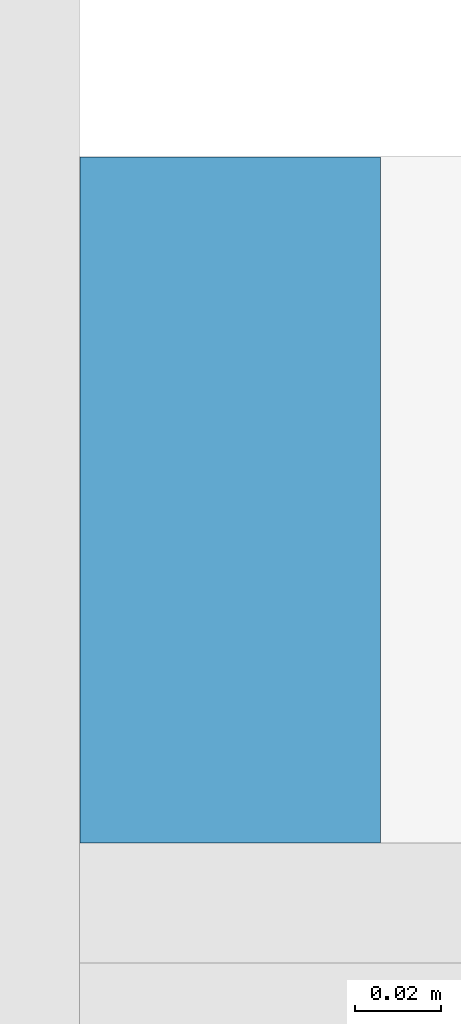
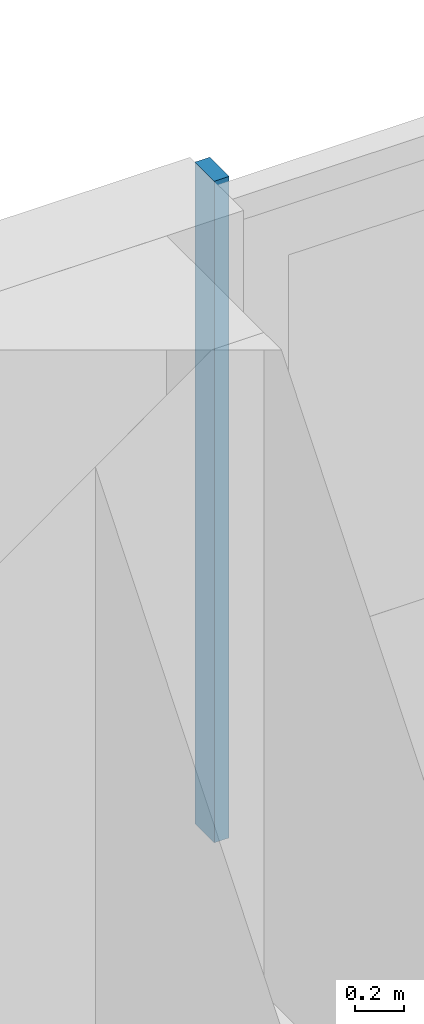
# One storey, part 10 of 28: 1 member, 1 element without a shape of its own.
"""IFC4 building model written with IfcOpenShell, lengths in metres."""

import ifcopenshell
import ifcopenshell.guid

model = None  # the IFC model being written
_history = None  # IfcOwnerHistory: only IFC2X3 demands one
_inside = {}  # id of a spatial element -> (the spatial element, [elements in it])
_under = {}  # id of a project, library or spatial element -> (it, [spatial elements below it])
_declared = {}  # id of a project -> (the project, [libraries it declares])
_typed = {}  # id of a type object -> (the type object, [elements of that type])
_made_of = {}  # id of a material, layer set ... -> (it, [elements and type objects made of it])


def new_model(schema):
    """Start an empty IFC model of exactly this schema.

    Asked for "IFC4X3", IfcOpenShell would pick the latest addendum, in which some entities
    have other attributes; the version numbers below select the first issue.
    IFC2X3 requires an IfcOwnerHistory on every rooted entity: one is made here for all.
    """
    global model, _history
    if schema == "IFC4X3":
        model = ifcopenshell.file(schema_version=(4, 3, 0, 0))
    else:
        model = ifcopenshell.file(schema=schema)
    _inside.clear()
    _under.clear()
    _declared.clear()
    _typed.clear()
    _made_of.clear()
    _history = None
    if model.schema == "IFC2X3":
        org = make("IfcOrganization", Name="unknown")
        user = make(
            "IfcPersonAndOrganization",
            ThePerson=make("IfcPerson", FamilyName="unknown"),
            TheOrganization=org,
        )
        app = make(
            "IfcApplication",
            ApplicationDeveloper=org,
            Version="unknown",
            ApplicationFullName="unknown",
            ApplicationIdentifier="unknown",
        )
        _history = make(
            "IfcOwnerHistory",
            OwningUser=user,
            OwningApplication=app,
            ChangeAction="ADDED",
            CreationDate=0,
        )
    return model


def make(cls, **values):
    """One entity of the class cls with the attributes given. An attribute that is None is left unset."""
    return model.create_entity(
        cls, **{name: value for name, value in values.items() if value is not None}
    )


def rooted(cls, **values):
    """An entity with a GlobalId (a new one), such as an element, a storey or a relation."""
    return make(cls, GlobalId=ifcopenshell.guid.new(), OwnerHistory=_history, **values)


def si_unit(unit_type, name, prefix=None):
    """IfcSIUnit, for example si_unit("LENGTHUNIT", "METRE", prefix="MILLI")."""
    return make("IfcSIUnit", UnitType=unit_type, Prefix=prefix, Name=name)


def assignment(units):
    """IfcUnitAssignment: the units of a project."""
    return None if units is None else make("IfcUnitAssignment", Units=units)


def point(xyz):
    """IfcCartesianPoint."""
    return None if xyz is None else make("IfcCartesianPoint", Coordinates=xyz)


def direction(xyz):
    """IfcDirection."""
    return None if xyz is None else make("IfcDirection", DirectionRatios=xyz)


def frame(location, z_axis=None, x_axis=None):
    """IfcAxis2Placement3D, a coordinate frame: its origin and axes. An axis left out is left unset."""
    return make(
        "IfcAxis2Placement3D",
        Location=point(location),
        Axis=direction(z_axis),
        RefDirection=direction(x_axis),
    )


def frame_2d(location, x_axis=None):
    """IfcAxis2Placement2D, a coordinate frame in the plane: its origin and x axis."""
    return make(
        "IfcAxis2Placement2D", Location=point(location), RefDirection=direction(x_axis)
    )


def origin():
    """The frame at (0, 0, 0) with its axes left unset."""
    return frame((0.0, 0.0, 0.0))


def origin_2d():
    """The frame at (0, 0) in the plane with its x axis left unset."""
    return frame_2d((0.0, 0.0))


def place(relative_to, where):
    """IfcLocalPlacement: puts the frame where relative to a parent placement (None: the world)."""
    return make(
        "IfcLocalPlacement", PlacementRelTo=relative_to, RelativePlacement=where
    )


def context(
    kind, dimensions, precision=None, world=None, true_north=None, identifier=None
):
    """IfcGeometricRepresentationContext, for example the 3D "Model" context."""
    return make(
        "IfcGeometricRepresentationContext",
        ContextIdentifier=identifier,
        ContextType=kind,
        CoordinateSpaceDimension=dimensions,
        Precision=precision,
        WorldCoordinateSystem=world,
        TrueNorth=true_north,
    )


def subcontext(parent, identifier, kind, view, scale=None):
    """IfcGeometricRepresentationSubContext, for example "Body" below "Model"."""
    return make(
        "IfcGeometricRepresentationSubContext",
        ContextIdentifier=identifier,
        ContextType=kind,
        ParentContext=parent,
        TargetScale=scale,
        TargetView=view,
    )


def project(units=None, contexts=None):
    """IfcProject with its units and contexts."""
    return rooted(
        "IfcProject",
        Name="project",
        RepresentationContexts=contexts,
        UnitsInContext=assignment(units),
    )


def spatial(cls, under=None, at=None, **own):
    """A site, building, storey or space (cls), placed at a placement, below another one or the project."""
    s = rooted(cls, ObjectPlacement=at, **own)
    if under is not None:
        _under.setdefault(under.id(), (under, []))[1].append(s)
    return s


def profile(cls, at=None, kind="AREA", **sizes):
    """A parametric profile (cls). Its sizes go by their IFC names, for example OverallWidth=200.0."""
    return make(cls, ProfileType=kind, Position=at, **sizes)


def rectangle(**sizes):
    """IfcRectangleProfileDef."""
    return profile("IfcRectangleProfileDef", **sizes)


def extrude(swept, where, along, depth):
    """IfcExtrudedAreaSolid: the profile swept, set in the frame where, extruded along a direction by depth."""
    return make(
        "IfcExtrudedAreaSolid",
        SweptArea=swept,
        Position=where,
        ExtrudedDirection=direction(along),
        Depth=depth,
    )


def shape(context_of_items, identifier, shape_type, items):
    """IfcShapeRepresentation: the items that make up one representation, for example the "Body"."""
    return make(
        "IfcShapeRepresentation",
        ContextOfItems=context_of_items,
        RepresentationIdentifier=identifier,
        RepresentationType=shape_type,
        Items=items,
    )


def material(Name=None, Category=None):
    """IfcMaterial."""
    return make("IfcMaterial", Name=Name, Category=Category)


def material_profile(
    of_material, cross_section, Name=None, Category=None, Priority=None
):
    """IfcMaterialProfile: a cross section and its material."""
    return make(
        "IfcMaterialProfile",
        Name=Name,
        Material=of_material,
        Profile=cross_section,
        Priority=Priority,
        Category=Category,
    )


def profile_set(profiles, Name=None, composite=None):
    """IfcMaterialProfileSet."""
    return make(
        "IfcMaterialProfileSet",
        Name=Name,
        MaterialProfiles=profiles,
        CompositeProfile=composite,
    )


def made_of(thing, what):
    """Note that an element or type object is made of a material, layer set ...; save() writes the relation."""
    if what is not None:
        _made_of.setdefault(what.id(), (what, []))[1].append(thing)
    return thing


def type_object(cls, material=None, **own):
    """A type object (cls), such as IfcWallType, which elements share."""
    return made_of(rooted(cls, **own), material)


def element(
    cls,
    number,
    at=None,
    inside=None,
    cuts=None,
    type_object=None,
    material=None,
    context=None,
    identifier="Body",
    shape_type=None,
    held_by="IfcProductDefinitionShape",
    body=None,
    shapes=None,
    **own,
):
    """One element of the class cls, such as IfcWall. Its Tag is "e" and its number.

    at: its placement. inside: the storey or other place that contains it. cuts: it is an
    opening in that element (IfcRelVoidsElement). A single representation is given by context,
    identifier, shape_type and body (its items); several are given by shapes. held_by: the class
    of the entity that holds the representations. save() writes the other relations.
    """
    e = rooted(cls, Tag="e%d" % number, ObjectPlacement=at, **own)
    if body is not None:
        shapes = [shape(context, identifier, shape_type, body)]
    if shapes is not None:
        e.Representation = make(held_by, Representations=shapes)
    if inside is not None:
        _inside.setdefault(inside.id(), (inside, []))[1].append(e)
    if cuts is not None:
        rooted(
            "IfcRelVoidsElement", RelatingBuildingElement=cuts, RelatedOpeningElement=e
        )
    if type_object is not None:
        _typed.setdefault(type_object.id(), (type_object, []))[1].append(e)
    return made_of(e, material)


def aggregate(whole, parts):
    """IfcRelAggregates: a whole, such as a stair, and the parts it consists of."""
    return rooted("IfcRelAggregates", RelatingObject=whole, RelatedObjects=parts)


def save(model, path):
    """Write the relations noted so far, then the file.

    IfcRelAggregates (storeys below a building ...), IfcRelContainedInSpatialStructure (elements
    in a storey), IfcRelDefinesByType, IfcRelAssociatesMaterial and IfcRelDeclares: one each for
    every whole, place, type object, material and project.
    """
    for whole, parts in _under.values():
        aggregate(whole, parts)
    for where, things in _inside.values():
        rooted(
            "IfcRelContainedInSpatialStructure",
            RelatedElements=things,
            RelatingStructure=where,
        )
    for kind, things in _typed.values():
        rooted("IfcRelDefinesByType", RelatedObjects=things, RelatingType=kind)
    for what, things in _made_of.values():
        rooted("IfcRelAssociatesMaterial", RelatedObjects=things, RelatingMaterial=what)
    for by, libraries in _declared.values():
        rooted("IfcRelDeclares", RelatingContext=by, RelatedDefinitions=libraries)
    model.write(path)


model = new_model("IFC4")

# Units and contexts
model_context = context("Model", 3, precision=1e-05, world=origin(), true_north=direction((0.0, 1.0)))
body_context = subcontext(model_context, "Body", "Model", "MODEL_VIEW")
ifc_project = project(units=[si_unit("LENGTHUNIT", "METRE"), si_unit("AREAUNIT", "SQUARE_METRE"), si_unit("VOLUMEUNIT", "CUBIC_METRE"), si_unit("PLANEANGLEUNIT", "RADIAN"), si_unit("MASSUNIT", "GRAM", prefix="KILO")], contexts=[model_context])

# Site, building, storey
site_placement = place(None, origin())
site = spatial("IfcSite", under=ifc_project, at=site_placement, CompositionType="ELEMENT")
building_placement = place(site_placement, origin())
building = spatial("IfcBuilding", under=site, at=building_placement, Name="Saffron Gate Tower", CompositionType="ELEMENT")
storey_placement = place(building_placement, frame((0.0, 0.0, 154.64990234375)))
storey = spatial("IfcBuildingStorey", under=building, at=storey_placement, Name="L37", CompositionType="ELEMENT", Elevation=154.64990234375)

# Curtain wall, member
ifc_material = material(Name="Aluminium, bronze anodised", Category="aluminium")
curtain_wall_type = type_object("IfcCurtainWallType", Name="CWS3 curtain wall rear facade", PredefinedType="NOTDEFINED", material=ifc_material)
curtain_wall_placement = place(storey_placement, origin())
curtain_wall = element("IfcCurtainWall", 1, at=curtain_wall_placement, inside=storey, type_object=curtain_wall_type, Name="CWS3 run 7", PredefinedType="NOTDEFINED")
ifc_material_profile = material_profile(ifc_material, rectangle(XDim=0.159912109375, YDim=0.070068359375, at=origin_2d()))
ifc_profile_set = profile_set([ifc_material_profile], Name="Aluminium, bronze anodised")
member_type = type_object("IfcMemberType", Name="CWS3 mullion 70x160", PredefinedType="MULLION", material=ifc_profile_set)
member_placement = place(storey_placement, frame((108.60009765625, 75.52001953125, 0.0), z_axis=(0.0, 0.0, 1.0), x_axis=(0.0, -1.0, 0.0)))
member = element("IfcMember", 2, at=member_placement, type_object=member_type, Name="CWS3 mullion 3", PredefinedType="MULLION", context=body_context, shape_type="SweptSolid", body=[
    extrude(rectangle(XDim=0.159912109375, YDim=0.070068359375, at=origin_2d()), origin(), (0.0, 0.0, 1.0), 3.320068359375),
])
aggregate(curtain_wall, [member])

save(model, "model.ifc")
